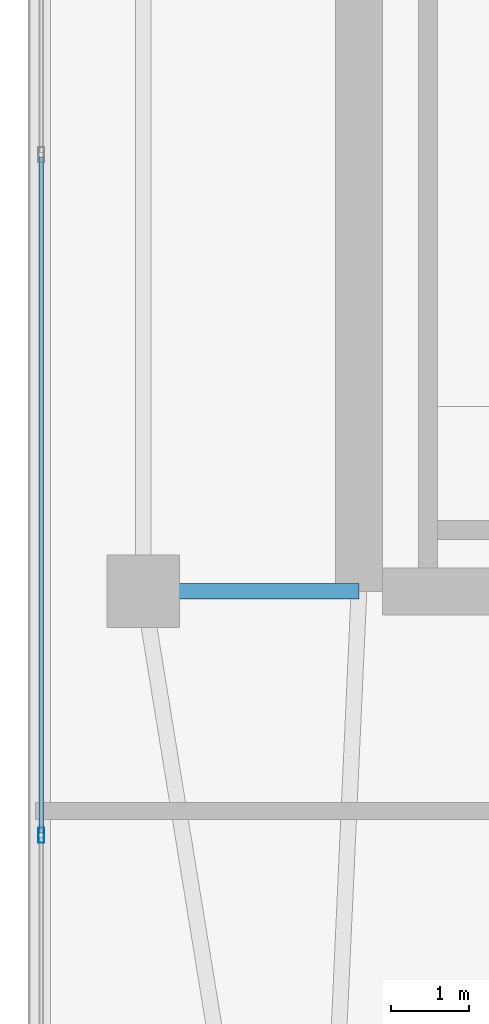
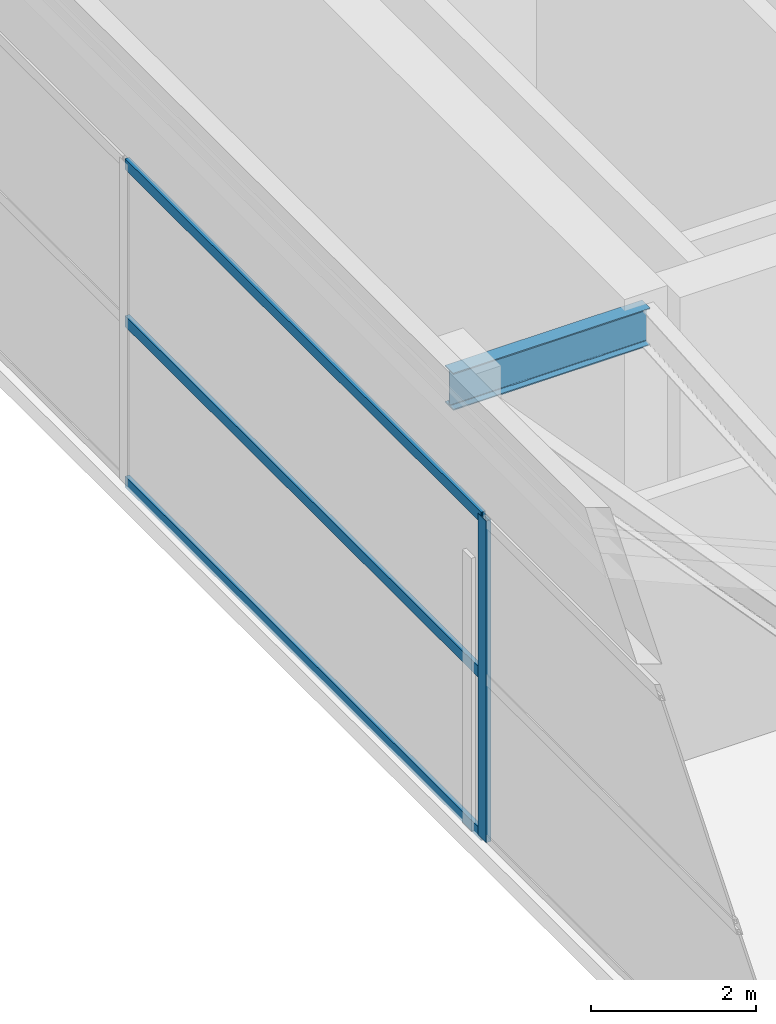
# One storey, part 6 of 20: 4 members, 1 beam, 1 element without a shape of its own.
"""IFC4 building model written with IfcOpenShell, lengths in metres."""

from ifc_helpers import new_model, si_unit, direction, frame, origin, origin_2d, place, context, subcontext, project, spatial, hollow_rectangle, i_section, extrude, material, layer, layer_set, material_profile, profile_set, type_object, element, aggregate, save


model = new_model("IFC4")

# Units and contexts
model_context = context("Model", 3, precision=1e-05, world=origin(), true_north=direction((0.0, 1.0)))
body_context = subcontext(model_context, "Body", "Model", "MODEL_VIEW")
ifc_project = project(units=[si_unit("LENGTHUNIT", "METRE"), si_unit("AREAUNIT", "SQUARE_METRE"), si_unit("VOLUMEUNIT", "CUBIC_METRE"), si_unit("PLANEANGLEUNIT", "RADIAN"), si_unit("MASSUNIT", "GRAM", prefix="KILO")], contexts=[model_context])

# Site, building, storey
site_placement = place(None, origin())
site = spatial("IfcSite", under=ifc_project, at=site_placement, CompositionType="ELEMENT")
building_placement = place(site_placement, origin())
building = spatial("IfcBuilding", under=site, at=building_placement, Name="Calvorn Quay Hotel", CompositionType="ELEMENT")
storey_placement = place(building_placement, frame((0.0, 0.0, 345.5)))
storey = spatial("IfcBuildingStorey", under=building, at=storey_placement, Name="L84", CompositionType="ELEMENT", Elevation=345.5)

# Beam
ifc_material_1 = material(Name="Steel Q355B", Category="steel")
ifc_material_profile_1 = material_profile(ifc_material_1, i_section(OverallWidth=0.199951171875, OverallDepth=0.550048828125, WebThickness=0.010009765625, FlangeThickness=0.01611328125, FilletRadius=0.01806640625, at=origin_2d()), Name="HN550x200x10x16")
ifc_profile_set_1 = profile_set([ifc_material_profile_1], Name="Steel Q355B")
beam_type = type_object("IfcBeamType", Name="BM-GIRD-UPP", PredefinedType="BEAM", material=ifc_profile_set_1)
beam_placement = place(storey_placement, frame((1.449951171875, 16.800048828125, 4.304931640625), z_axis=(1.0, 0.0, 0.0), x_axis=(0.0, 1.0, 0.0)))
element("IfcBeam", 1, at=beam_placement, inside=storey, type_object=beam_type, Name="Beam BG-L84-W1", PredefinedType="BEAM", context=body_context, shape_type="SweptSolid", body=[
    extrude(i_section(OverallWidth=0.199951171875, OverallDepth=0.550048828125, WebThickness=0.010009765625, FlangeThickness=0.01611328125, FilletRadius=0.01806640625, at=origin_2d()), origin(), (0.0, 0.0, 1.0), 2.75),
])

# Curtain wall, members
ifc_material_2 = material(Name="Pale Anodised Aluminium and Laminated Glass", Category="aluminium")
ifc_layer = layer(ifc_material_2, 0.219970703125)
ifc_layer_set = layer_set([ifc_layer], Name="CW-SYS-CRN")
curtain_wall_type = type_object("IfcCurtainWallType", Name="CW-SYS-CRN", PredefinedType="NOTDEFINED", material=ifc_layer_set)
curtain_wall_placement = place(storey_placement, origin())
curtain_wall = element("IfcCurtainWall", 2, at=curtain_wall_placement, inside=storey, type_object=curtain_wall_type, Name="Crown Curtain Wall L84-C3", PredefinedType="NOTDEFINED")
ifc_material_3 = material(Name="Pale Anodised Aluminium 6063-T6", Category="aluminium")
ifc_material_profile_2 = material_profile(ifc_material_3, hollow_rectangle(XDim=0.072021484375, YDim=0.195068359375, WallThickness=0.00390625, at=origin_2d()), Name="ALU-M195x72x4")
ifc_profile_set_2 = profile_set([ifc_material_profile_2], Name="Pale Anodised Aluminium 6063-T6")
member_type_1 = type_object("IfcMemberType", Name="CW-SYS-CRN-MUL", PredefinedType="MULLION", material=ifc_profile_set_2)
member_1_placement = place(storey_placement, frame((0.14990234375, 13.69189453125, 0.0), z_axis=(0.0, 0.0, 1.0), x_axis=(1.0, 0.0, 0.0)))
member_1 = element("IfcMember", 3, at=member_1_placement, type_object=member_type_1, Name="CW-L84-C3 mullion 5", PredefinedType="MULLION", context=body_context, shape_type="SweptSolid", body=[
    extrude(hollow_rectangle(XDim=0.072021484375, YDim=0.195068359375, WallThickness=0.00390625, at=origin_2d()), origin(), (0.0, 0.0, 1.0), 4.75),
])
ifc_material_4 = material(Name="Pale Anodised Aluminium 6063-T6", Category="aluminium")
ifc_material_profile_3 = material_profile(ifc_material_4, hollow_rectangle(XDim=0.06201171875, YDim=0.159912109375, WallThickness=0.00341796875, at=origin_2d()), Name="ALU-T160x62x3.5")
ifc_profile_set_3 = profile_set([ifc_material_profile_3], Name="Pale Anodised Aluminium 6063-T6")
member_type_2 = type_object("IfcMemberType", Name="CW-SYS-CRN-TRN", PredefinedType="USERDEFINED", material=ifc_profile_set_3)
member_2_placement = place(storey_placement, frame((0.14990234375, 22.333984375, 0.030029296875), z_axis=(0.0, -1.0, 0.0), x_axis=(1.0, 0.0, 0.0)))
member_2 = element("IfcMember", 4, at=member_2_placement, type_object=member_type_2, Name="CW-L84-C3 transom 4.1", ObjectType="TRANSOM", PredefinedType="USERDEFINED", context=body_context, shape_type="SweptSolid", body=[
    extrude(hollow_rectangle(XDim=0.06201171875, YDim=0.159912109375, WallThickness=0.00341796875, at=origin_2d()), origin(), (0.0, 0.0, 1.0), 8.612060546875),
])
member_3_placement = place(storey_placement, frame((0.14990234375, 22.333984375, 2.39990234375), z_axis=(0.0, -1.0, 0.0), x_axis=(1.0, 0.0, 0.0)))
member_3 = element("IfcMember", 5, at=member_3_placement, type_object=member_type_2, Name="CW-L84-C3 transom 4.2", ObjectType="TRANSOM", PredefinedType="USERDEFINED", context=body_context, shape_type="SweptSolid", body=[
    extrude(hollow_rectangle(XDim=0.06201171875, YDim=0.159912109375, WallThickness=0.00341796875, at=origin_2d()), origin(), (0.0, 0.0, 1.0), 8.612060546875),
])
member_4_placement = place(storey_placement, frame((0.14990234375, 22.333984375, 4.719970703125), z_axis=(0.0, -1.0, 0.0), x_axis=(1.0, 0.0, 0.0)))
member_4 = element("IfcMember", 6, at=member_4_placement, type_object=member_type_2, Name="CW-L84-C3 transom 4.3", ObjectType="TRANSOM", PredefinedType="USERDEFINED", context=body_context, shape_type="SweptSolid", body=[
    extrude(hollow_rectangle(XDim=0.06201171875, YDim=0.159912109375, WallThickness=0.00341796875, at=origin_2d()), origin(), (0.0, 0.0, 1.0), 8.612060546875),
])
aggregate(curtain_wall, [member_1, member_2, member_3, member_4])

save(model, "model.ifc")
